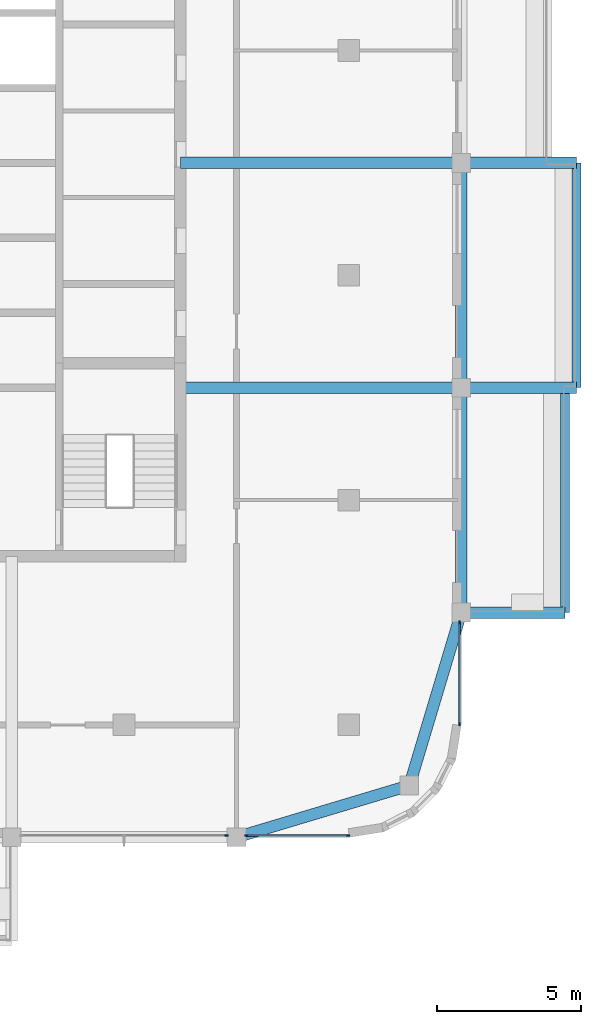
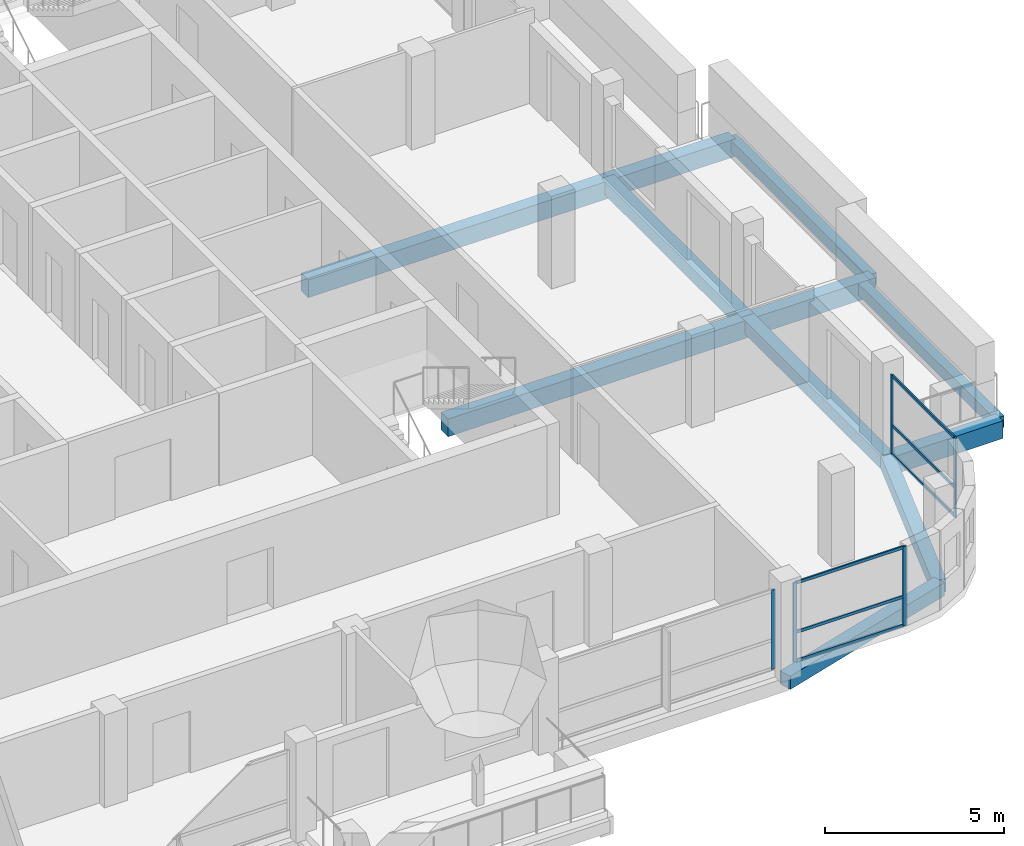
# One storey, part 5 of 19: 11 beams, 11 members, 3 elements without a shape of their own.
"""IFC4 building model written with IfcOpenShell, lengths in metres."""

import ifcopenshell
import ifcopenshell.guid

model = None  # the IFC model being written
_history = None  # IfcOwnerHistory: only IFC2X3 demands one
_inside = {}  # id of a spatial element -> (the spatial element, [elements in it])
_under = {}  # id of a project, library or spatial element -> (it, [spatial elements below it])
_declared = {}  # id of a project -> (the project, [libraries it declares])
_typed = {}  # id of a type object -> (the type object, [elements of that type])
_made_of = {}  # id of a material, layer set ... -> (it, [elements and type objects made of it])


def new_model(schema):
    """Start an empty IFC model of exactly this schema.

    Asked for "IFC4X3", IfcOpenShell would pick the latest addendum, in which some entities
    have other attributes; the version numbers below select the first issue.
    IFC2X3 requires an IfcOwnerHistory on every rooted entity: one is made here for all.
    """
    global model, _history
    if schema == "IFC4X3":
        model = ifcopenshell.file(schema_version=(4, 3, 0, 0))
    else:
        model = ifcopenshell.file(schema=schema)
    _inside.clear()
    _under.clear()
    _declared.clear()
    _typed.clear()
    _made_of.clear()
    _history = None
    if model.schema == "IFC2X3":
        org = make("IfcOrganization", Name="unknown")
        user = make(
            "IfcPersonAndOrganization",
            ThePerson=make("IfcPerson", FamilyName="unknown"),
            TheOrganization=org,
        )
        app = make(
            "IfcApplication",
            ApplicationDeveloper=org,
            Version="unknown",
            ApplicationFullName="unknown",
            ApplicationIdentifier="unknown",
        )
        _history = make(
            "IfcOwnerHistory",
            OwningUser=user,
            OwningApplication=app,
            ChangeAction="ADDED",
            CreationDate=0,
        )
    return model


def make(cls, **values):
    """One entity of the class cls with the attributes given. An attribute that is None is left unset."""
    return model.create_entity(
        cls, **{name: value for name, value in values.items() if value is not None}
    )


def rooted(cls, **values):
    """An entity with a GlobalId (a new one), such as an element, a storey or a relation."""
    return make(cls, GlobalId=ifcopenshell.guid.new(), OwnerHistory=_history, **values)


def si_unit(unit_type, name, prefix=None):
    """IfcSIUnit, for example si_unit("LENGTHUNIT", "METRE", prefix="MILLI")."""
    return make("IfcSIUnit", UnitType=unit_type, Prefix=prefix, Name=name)


def assignment(units):
    """IfcUnitAssignment: the units of a project."""
    return None if units is None else make("IfcUnitAssignment", Units=units)


def point(xyz):
    """IfcCartesianPoint."""
    return None if xyz is None else make("IfcCartesianPoint", Coordinates=xyz)


def direction(xyz):
    """IfcDirection."""
    return None if xyz is None else make("IfcDirection", DirectionRatios=xyz)


def frame(location, z_axis=None, x_axis=None):
    """IfcAxis2Placement3D, a coordinate frame: its origin and axes. An axis left out is left unset."""
    return make(
        "IfcAxis2Placement3D",
        Location=point(location),
        Axis=direction(z_axis),
        RefDirection=direction(x_axis),
    )


def frame_2d(location, x_axis=None):
    """IfcAxis2Placement2D, a coordinate frame in the plane: its origin and x axis."""
    return make(
        "IfcAxis2Placement2D", Location=point(location), RefDirection=direction(x_axis)
    )


def origin():
    """The frame at (0, 0, 0) with its axes left unset."""
    return frame((0.0, 0.0, 0.0))


def origin_2d():
    """The frame at (0, 0) in the plane with its x axis left unset."""
    return frame_2d((0.0, 0.0))


def place(relative_to, where):
    """IfcLocalPlacement: puts the frame where relative to a parent placement (None: the world)."""
    return make(
        "IfcLocalPlacement", PlacementRelTo=relative_to, RelativePlacement=where
    )


def context(
    kind, dimensions, precision=None, world=None, true_north=None, identifier=None
):
    """IfcGeometricRepresentationContext, for example the 3D "Model" context."""
    return make(
        "IfcGeometricRepresentationContext",
        ContextIdentifier=identifier,
        ContextType=kind,
        CoordinateSpaceDimension=dimensions,
        Precision=precision,
        WorldCoordinateSystem=world,
        TrueNorth=true_north,
    )


def subcontext(parent, identifier, kind, view, scale=None):
    """IfcGeometricRepresentationSubContext, for example "Body" below "Model"."""
    return make(
        "IfcGeometricRepresentationSubContext",
        ContextIdentifier=identifier,
        ContextType=kind,
        ParentContext=parent,
        TargetScale=scale,
        TargetView=view,
    )


def project(units=None, contexts=None):
    """IfcProject with its units and contexts."""
    return rooted(
        "IfcProject",
        Name="project",
        RepresentationContexts=contexts,
        UnitsInContext=assignment(units),
    )


def spatial(cls, under=None, at=None, **own):
    """A site, building, storey or space (cls), placed at a placement, below another one or the project."""
    s = rooted(cls, ObjectPlacement=at, **own)
    if under is not None:
        _under.setdefault(under.id(), (under, []))[1].append(s)
    return s


def profile(cls, at=None, kind="AREA", **sizes):
    """A parametric profile (cls). Its sizes go by their IFC names, for example OverallWidth=200.0."""
    return make(cls, ProfileType=kind, Position=at, **sizes)


def rectangle(**sizes):
    """IfcRectangleProfileDef."""
    return profile("IfcRectangleProfileDef", **sizes)


def extrude(swept, where, along, depth):
    """IfcExtrudedAreaSolid: the profile swept, set in the frame where, extruded along a direction by depth."""
    return make(
        "IfcExtrudedAreaSolid",
        SweptArea=swept,
        Position=where,
        ExtrudedDirection=direction(along),
        Depth=depth,
    )


def shape(context_of_items, identifier, shape_type, items):
    """IfcShapeRepresentation: the items that make up one representation, for example the "Body"."""
    return make(
        "IfcShapeRepresentation",
        ContextOfItems=context_of_items,
        RepresentationIdentifier=identifier,
        RepresentationType=shape_type,
        Items=items,
    )


def material(Name=None, Category=None):
    """IfcMaterial."""
    return make("IfcMaterial", Name=Name, Category=Category)


def material_profile(
    of_material, cross_section, Name=None, Category=None, Priority=None
):
    """IfcMaterialProfile: a cross section and its material."""
    return make(
        "IfcMaterialProfile",
        Name=Name,
        Material=of_material,
        Profile=cross_section,
        Priority=Priority,
        Category=Category,
    )


def profile_set(profiles, Name=None, composite=None):
    """IfcMaterialProfileSet."""
    return make(
        "IfcMaterialProfileSet",
        Name=Name,
        MaterialProfiles=profiles,
        CompositeProfile=composite,
    )


def made_of(thing, what):
    """Note that an element or type object is made of a material, layer set ...; save() writes the relation."""
    if what is not None:
        _made_of.setdefault(what.id(), (what, []))[1].append(thing)
    return thing


def type_object(cls, material=None, **own):
    """A type object (cls), such as IfcWallType, which elements share."""
    return made_of(rooted(cls, **own), material)


def element(
    cls,
    number,
    at=None,
    inside=None,
    cuts=None,
    type_object=None,
    material=None,
    context=None,
    identifier="Body",
    shape_type=None,
    held_by="IfcProductDefinitionShape",
    body=None,
    shapes=None,
    **own,
):
    """One element of the class cls, such as IfcWall. Its Tag is "e" and its number.

    at: its placement. inside: the storey or other place that contains it. cuts: it is an
    opening in that element (IfcRelVoidsElement). A single representation is given by context,
    identifier, shape_type and body (its items); several are given by shapes. held_by: the class
    of the entity that holds the representations. save() writes the other relations.
    """
    e = rooted(cls, Tag="e%d" % number, ObjectPlacement=at, **own)
    if body is not None:
        shapes = [shape(context, identifier, shape_type, body)]
    if shapes is not None:
        e.Representation = make(held_by, Representations=shapes)
    if inside is not None:
        _inside.setdefault(inside.id(), (inside, []))[1].append(e)
    if cuts is not None:
        rooted(
            "IfcRelVoidsElement", RelatingBuildingElement=cuts, RelatedOpeningElement=e
        )
    if type_object is not None:
        _typed.setdefault(type_object.id(), (type_object, []))[1].append(e)
    return made_of(e, material)


def aggregate(whole, parts):
    """IfcRelAggregates: a whole, such as a stair, and the parts it consists of."""
    return rooted("IfcRelAggregates", RelatingObject=whole, RelatedObjects=parts)


def save(model, path):
    """Write the relations noted so far, then the file.

    IfcRelAggregates (storeys below a building ...), IfcRelContainedInSpatialStructure (elements
    in a storey), IfcRelDefinesByType, IfcRelAssociatesMaterial and IfcRelDeclares: one each for
    every whole, place, type object, material and project.
    """
    for whole, parts in _under.values():
        aggregate(whole, parts)
    for where, things in _inside.values():
        rooted(
            "IfcRelContainedInSpatialStructure",
            RelatedElements=things,
            RelatingStructure=where,
        )
    for kind, things in _typed.values():
        rooted("IfcRelDefinesByType", RelatedObjects=things, RelatingType=kind)
    for what, things in _made_of.values():
        rooted("IfcRelAssociatesMaterial", RelatedObjects=things, RelatingMaterial=what)
    for by, libraries in _declared.values():
        rooted("IfcRelDeclares", RelatingContext=by, RelatedDefinitions=libraries)
    model.write(path)


model = new_model("IFC4")

# Units and contexts
model_context = context("Model", 3, precision=1e-05, world=origin(), true_north=direction((0.0, 1.0)))
body_context = subcontext(model_context, "Body", "Model", "MODEL_VIEW")
ifc_project = project(units=[si_unit("LENGTHUNIT", "METRE"), si_unit("AREAUNIT", "SQUARE_METRE"), si_unit("VOLUMEUNIT", "CUBIC_METRE"), si_unit("PLANEANGLEUNIT", "RADIAN"), si_unit("MASSUNIT", "GRAM", prefix="KILO")], contexts=[model_context])

# Site, building, storey
site_placement = place(None, origin())
site = spatial("IfcSite", under=ifc_project, at=site_placement, CompositionType="ELEMENT")
building_placement = place(site_placement, origin())
building = spatial("IfcBuilding", under=site, at=building_placement, Name="Ludao Terraces", CompositionType="ELEMENT")
storey_placement = place(building_placement, frame((0.0, 0.0, 256.199951171875)))
storey = spatial("IfcBuildingStorey", under=building, at=storey_placement, Name="L70", CompositionType="ELEMENT", Elevation=256.199951171875)

# Curtain wall, member
ifc_material_1 = material(Name="Aluminium curtain wall with fritted glass", Category="aluminium")
curtain_wall_type = type_object("IfcCurtainWallType", Name="ENV CW3 community glazing", PredefinedType="NOTDEFINED", material=ifc_material_1)
curtain_wall_1_placement = place(storey_placement, origin())
curtain_wall_1 = element("IfcCurtainWall", 1, at=curtain_wall_1_placement, inside=storey, type_object=curtain_wall_type, Name="Community floor glazing L70 S4", PredefinedType="NOTDEFINED")
ifc_material_2 = material(Name="Aluminium 6063-T6", Category="aluminium")
ifc_material_profile_1 = material_profile(ifc_material_2, rectangle(XDim=0.050048828125, YDim=0.1201171875, at=origin_2d()), Name="50 X 120")
ifc_profile_set_1 = profile_set([ifc_material_profile_1], Name="Aluminium 6063-T6")
member_type_1 = type_object("IfcMemberType", Name="ENV CW3 mullion 50x120", PredefinedType="MULLION", material=ifc_profile_set_1)
member_1_placement = place(storey_placement, frame((96.35009765625, 45.56005859375, 0.0), z_axis=(0.0, 0.0, 1.0), x_axis=(0.0, 1.0, 0.0)))
member_1 = element("IfcMember", 2, at=member_1_placement, type_object=member_type_1, Name="CW3 mullion 3", PredefinedType="MULLION", context=body_context, shape_type="SweptSolid", body=[
    extrude(rectangle(XDim=0.050048828125, YDim=0.1201171875, at=origin_2d()), origin(), (0.0, 0.0, 1.0), 2.699951171875),
])
aggregate(curtain_wall_1, [member_1])

# Curtain wall, members
curtain_wall_2_placement = place(storey_placement, origin())
curtain_wall_2 = element("IfcCurtainWall", 3, at=curtain_wall_2_placement, inside=storey, type_object=curtain_wall_type, Name="Community floor glazing L70 S5", PredefinedType="NOTDEFINED")
member_2_placement = place(storey_placement, frame((97.050048828125, 45.56005859375, 0.0), z_axis=(0.0, 0.0, 1.0), x_axis=(0.0, 1.0, 0.0)))
member_2 = element("IfcMember", 4, at=member_2_placement, type_object=member_type_1, Name="CW3 mullion 1", PredefinedType="MULLION", context=body_context, shape_type="SweptSolid", body=[
    extrude(rectangle(XDim=0.050048828125, YDim=0.1201171875, at=origin_2d()), origin(), (0.0, 0.0, 1.0), 2.699951171875),
])
member_3_placement = place(storey_placement, frame((100.574951171875, 45.56005859375, 0.0), z_axis=(0.0, 0.0, 1.0), x_axis=(0.0, 1.0, 0.0)))
member_3 = element("IfcMember", 5, at=member_3_placement, type_object=member_type_1, Name="CW3 mullion 2", PredefinedType="MULLION", context=body_context, shape_type="SweptSolid", body=[
    extrude(rectangle(XDim=0.050048828125, YDim=0.1201171875, at=origin_2d()), origin(), (0.0, 0.0, 1.0), 2.699951171875),
])

curtain_wall_3_placement = place(storey_placement, origin())
curtain_wall_3 = element("IfcCurtainWall", 6, at=curtain_wall_3_placement, inside=storey, type_object=curtain_wall_type, Name="Community floor glazing L70 E1", PredefinedType="NOTDEFINED")
member_4_placement = place(storey_placement, frame((104.43994140625, 49.425048828125, 0.0), z_axis=(0.0, 0.0, 1.0), x_axis=(-1.0, 0.0, 0.0)))
member_4 = element("IfcMember", 7, at=member_4_placement, type_object=member_type_1, Name="CW3 mullion 1", PredefinedType="MULLION", context=body_context, shape_type="SweptSolid", body=[
    extrude(rectangle(XDim=0.050048828125, YDim=0.1201171875, at=origin_2d()), origin(), (0.0, 0.0, 1.0), 2.699951171875),
])
member_5_placement = place(storey_placement, frame((104.43994140625, 52.949951171875, 0.0), z_axis=(0.0, 0.0, 1.0), x_axis=(-1.0, 0.0, 0.0)))
member_5 = element("IfcMember", 8, at=member_5_placement, type_object=member_type_1, Name="CW3 mullion 2", PredefinedType="MULLION", context=body_context, shape_type="SweptSolid", body=[
    extrude(rectangle(XDim=0.050048828125, YDim=0.1201171875, at=origin_2d()), origin(), (0.0, 0.0, 1.0), 2.699951171875),
])

# Member
ifc_material_profile_2 = material_profile(ifc_material_2, rectangle(XDim=0.050048828125, YDim=0.10009765625, at=origin_2d()), Name="50 X 100")
ifc_profile_set_2 = profile_set([ifc_material_profile_2], Name="Aluminium 6063-T6")
member_type_2 = type_object("IfcMemberType", Name="ENV CW3 transom 50x100", PredefinedType="USERDEFINED", material=ifc_profile_set_2)
member_6_placement = place(storey_placement, frame((97.074951171875, 45.56005859375, 0.025146484375), z_axis=(1.0, 0.0, 0.0), x_axis=(0.0, 1.0, 0.0)))
member_6 = element("IfcMember", 9, at=member_6_placement, type_object=member_type_2, Name="CW3 transom 1.1", ObjectType="TRANSOM", PredefinedType="USERDEFINED", context=body_context, shape_type="SweptSolid", body=[
    extrude(rectangle(XDim=0.050048828125, YDim=0.10009765625, at=origin_2d()), origin(), (0.0, 0.0, 1.0), 3.47509765625),
])

member_7_placement = place(storey_placement, frame((97.074951171875, 45.56005859375, 1.0), z_axis=(1.0, 0.0, 0.0), x_axis=(0.0, 1.0, 0.0)))
member_7 = element("IfcMember", 10, at=member_7_placement, type_object=member_type_2, Name="CW3 transom 1.2", ObjectType="TRANSOM", PredefinedType="USERDEFINED", context=body_context, shape_type="SweptSolid", body=[
    extrude(rectangle(XDim=0.050048828125, YDim=0.10009765625, at=origin_2d()), origin(), (0.0, 0.0, 1.0), 3.47509765625),
])

member_8_placement = place(storey_placement, frame((97.074951171875, 45.56005859375, 2.675048828125), z_axis=(1.0, 0.0, 0.0), x_axis=(0.0, 1.0, 0.0)))
member_8 = element("IfcMember", 11, at=member_8_placement, type_object=member_type_2, Name="CW3 transom 1.3", ObjectType="TRANSOM", PredefinedType="USERDEFINED", context=body_context, shape_type="SweptSolid", body=[
    extrude(rectangle(XDim=0.050048828125, YDim=0.10009765625, at=origin_2d()), origin(), (0.0, 0.0, 1.0), 3.47509765625),
])

aggregate(curtain_wall_2, [member_2, member_3, member_6, member_7, member_8])

member_9_placement = place(storey_placement, frame((104.43994140625, 49.449951171875, 0.025146484375), z_axis=(0.0, 1.0, 0.0), x_axis=(-1.0, 0.0, 0.0)))
member_9 = element("IfcMember", 12, at=member_9_placement, type_object=member_type_2, Name="CW3 transom 1.1", ObjectType="TRANSOM", PredefinedType="USERDEFINED", context=body_context, shape_type="SweptSolid", body=[
    extrude(rectangle(XDim=0.050048828125, YDim=0.10009765625, at=origin_2d()), origin(), (0.0, 0.0, 1.0), 3.47509765625),
])

member_10_placement = place(storey_placement, frame((104.43994140625, 49.449951171875, 1.0), z_axis=(0.0, 1.0, 0.0), x_axis=(-1.0, 0.0, 0.0)))
member_10 = element("IfcMember", 13, at=member_10_placement, type_object=member_type_2, Name="CW3 transom 1.2", ObjectType="TRANSOM", PredefinedType="USERDEFINED", context=body_context, shape_type="SweptSolid", body=[
    extrude(rectangle(XDim=0.050048828125, YDim=0.10009765625, at=origin_2d()), origin(), (0.0, 0.0, 1.0), 3.47509765625),
])

member_11_placement = place(storey_placement, frame((104.43994140625, 49.449951171875, 2.675048828125), z_axis=(0.0, 1.0, 0.0), x_axis=(-1.0, 0.0, 0.0)))
member_11 = element("IfcMember", 14, at=member_11_placement, type_object=member_type_2, Name="CW3 transom 1.3", ObjectType="TRANSOM", PredefinedType="USERDEFINED", context=body_context, shape_type="SweptSolid", body=[
    extrude(rectangle(XDim=0.050048828125, YDim=0.10009765625, at=origin_2d()), origin(), (0.0, 0.0, 1.0), 3.47509765625),
])

aggregate(curtain_wall_3, [member_4, member_5, member_9, member_10, member_11])

# Beams
ifc_material_3 = material(Name="Concrete C40", Category="concrete")
ifc_material_profile_3 = material_profile(ifc_material_3, rectangle(XDim=0.300048828125, YDim=0.39990234375, at=origin_2d()), Name="300 X 400")
ifc_profile_set_3 = profile_set([ifc_material_profile_3], Name="Concrete C40")
beam_type_1 = type_object("IfcBeamType", Name="RC beam 300x400 C40", PredefinedType="BEAM", material=ifc_profile_set_3)
beam_1_placement = place(storey_placement, frame((108.10009765625, 53.300048828125, -0.449951171875), z_axis=(0.0, 1.0, 0.0), x_axis=(-1.0, 0.0, 0.0)))
element("IfcBeam", 15, at=beam_1_placement, inside=storey, type_object=beam_type_1, Name="Balcony edge beam L70 E1", PredefinedType="BEAM", context=body_context, shape_type="SweptSolid", body=[
    extrude(rectangle(XDim=0.300048828125, YDim=0.39990234375, at=origin_2d()), origin(), (0.0, 0.0, 1.0), 7.800048828125),
])
beam_2_placement = place(storey_placement, frame((108.5, 61.10009765625, -0.449951171875), z_axis=(0.0, 1.0, 0.0), x_axis=(-1.0, 0.0, 0.0)))
element("IfcBeam", 16, at=beam_2_placement, inside=storey, type_object=beam_type_1, Name="Balcony edge beam L70 E2", PredefinedType="BEAM", context=body_context, shape_type="SweptSolid", body=[
    extrude(rectangle(XDim=0.300048828125, YDim=0.39990234375, at=origin_2d()), origin(), (0.0, 0.0, 1.0), 7.7998046875),
])
ifc_material_profile_4 = material_profile(ifc_material_3, rectangle(XDim=0.39990234375, YDim=0.449951171875, at=origin_2d()), Name="400 X 450")
ifc_profile_set_4 = profile_set([ifc_material_profile_4], Name="Concrete C40")
beam_type_2 = type_object("IfcBeamType", Name="RC beam 400x450 C40", PredefinedType="BEAM", material=ifc_profile_set_4)
for number, where, z_axis, x_axis, name in (
    (17, (96.699951171875, 45.5, -0.474853515625), (0.957824139839, 0.287355036744, 0.0), (-0.287355036744, 0.957824139839, 0.0), "Spandrel beam L70 S5"),
    (18, (102.699951171875, 47.300048828125, -0.474853515625), (0.287355036744, 0.957824139839, 0.0), (-0.957824139839, 0.287355036744, 0.0), "Spandrel beam L70 E13"),
):
    element("IfcBeam", number, at=place(storey_placement, frame(where, z_axis=z_axis, x_axis=x_axis)), inside=storey, type_object=beam_type_2, Name=name, PredefinedType="BEAM", context=body_context, shape_type="SweptSolid", body=[
        extrude(rectangle(XDim=0.39990234375, YDim=0.449951171875, at=origin_2d()), origin(), (0.0, 0.0, 1.0), 6.26416015625),
    ])
beam_3_placement = place(storey_placement, frame((104.5, 53.300048828125, -0.474853515625), z_axis=(0.0, 1.0, 0.0), x_axis=(-1.0, 0.0, 0.0)))
element("IfcBeam", 19, at=beam_3_placement, inside=storey, type_object=beam_type_2, Name="Spandrel beam L70 E14", PredefinedType="BEAM", context=body_context, shape_type="SweptSolid", body=[
    extrude(rectangle(XDim=0.39990234375, YDim=0.449951171875, at=origin_2d()), origin(), (0.0, 0.0, 1.0), 7.800048828125),
])
beam_4_placement = place(storey_placement, frame((104.5, 61.10009765625, -0.474853515625), z_axis=(0.0, 1.0, 0.0), x_axis=(-1.0, 0.0, 0.0)))
element("IfcBeam", 20, at=beam_4_placement, inside=storey, type_object=beam_type_2, Name="Spandrel beam L70 E15", PredefinedType="BEAM", context=body_context, shape_type="SweptSolid", body=[
    extrude(rectangle(XDim=0.39990234375, YDim=0.449951171875, at=origin_2d()), origin(), (0.0, 0.0, 1.0), 7.7998046875),
])
ifc_material_profile_5 = material_profile(ifc_material_3, rectangle(XDim=0.39990234375, YDim=0.60009765625, at=origin_2d()), Name="400 X 600")
ifc_profile_set_5 = profile_set([ifc_material_profile_5], Name="Concrete C40")
beam_type_3 = type_object("IfcBeamType", Name="RC beam 400x600 C40", PredefinedType="BEAM", material=ifc_profile_set_5)
beam_5_placement = place(storey_placement, frame((104.5, 53.300048828125, -0.550048828125), z_axis=(1.0, 0.0, 0.0), x_axis=(0.0, 1.0, 0.0)))
element("IfcBeam", 21, at=beam_5_placement, inside=storey, type_object=beam_type_3, Name="Balcony beam L70 E533", PredefinedType="BEAM", context=body_context, shape_type="SweptSolid", body=[
    extrude(rectangle(XDim=0.39990234375, YDim=0.60009765625, at=origin_2d()), origin(), (0.0, 0.0, 1.0), 3.60009765625),
])
beam_6_placement = place(storey_placement, frame((94.75, 61.10009765625, -0.550048828125), z_axis=(1.0, 0.0, 0.0), x_axis=(0.0, 1.0, 0.0)))
element("IfcBeam", 22, at=beam_6_placement, inside=storey, type_object=beam_type_3, Name="Balcony beam L70 E611", PredefinedType="BEAM", context=body_context, shape_type="SweptSolid", body=[
    extrude(rectangle(XDim=0.39990234375, YDim=0.60009765625, at=origin_2d()), origin(), (0.0, 0.0, 1.0), 9.75),
])
beam_7_placement = place(storey_placement, frame((104.5, 61.10009765625, -0.550048828125), z_axis=(1.0, 0.0, 0.0), x_axis=(0.0, 1.0, 0.0)))
element("IfcBeam", 23, at=beam_7_placement, inside=storey, type_object=beam_type_3, Name="Balcony beam L70 E611", PredefinedType="BEAM", context=body_context, shape_type="SweptSolid", body=[
    extrude(rectangle(XDim=0.39990234375, YDim=0.60009765625, at=origin_2d()), origin(), (0.0, 0.0, 1.0), 4.0),
])
beam_8_placement = place(storey_placement, frame((94.75, 68.89990234375, -0.550048828125), z_axis=(1.0, 0.0, 0.0), x_axis=(0.0, 1.0, 0.0)))
element("IfcBeam", 24, at=beam_8_placement, inside=storey, type_object=beam_type_3, Name="Balcony beam L70 E689", PredefinedType="BEAM", context=body_context, shape_type="SweptSolid", body=[
    extrude(rectangle(XDim=0.39990234375, YDim=0.60009765625, at=origin_2d()), origin(), (0.0, 0.0, 1.0), 9.75),
])
beam_9_placement = place(storey_placement, frame((104.5, 68.89990234375, -0.550048828125), z_axis=(1.0, 0.0, 0.0), x_axis=(0.0, 1.0, 0.0)))
element("IfcBeam", 25, at=beam_9_placement, inside=storey, type_object=beam_type_3, Name="Balcony beam L70 E689", PredefinedType="BEAM", context=body_context, shape_type="SweptSolid", body=[
    extrude(rectangle(XDim=0.39990234375, YDim=0.60009765625, at=origin_2d()), origin(), (0.0, 0.0, 1.0), 4.0),
])

save(model, "model.ifc")
